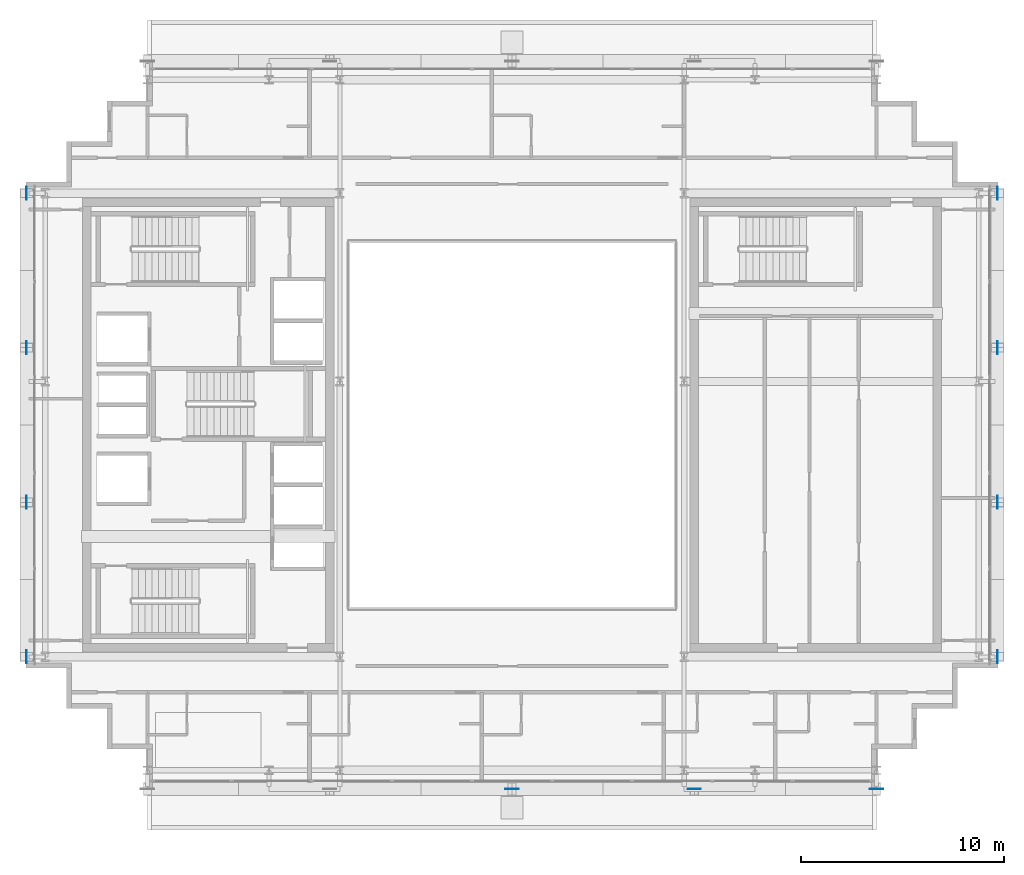
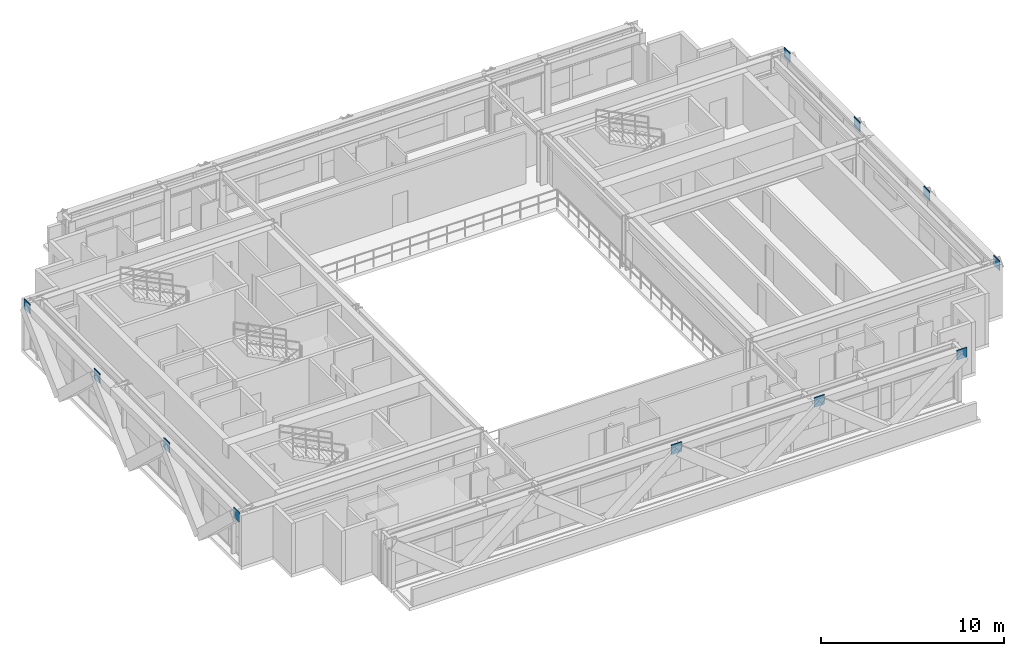
# One storey, part 18 of 27: 11 plates.
"""IFC4 building model written with IfcOpenShell, lengths in metres."""

from ifc_helpers import new_model, si_unit, direction, frame, origin, origin_2d, place, context, subcontext, project, spatial, rectangle, extrude, source, transform, mapped, material, layer, layer_set, type_object, element, save


model = new_model("IFC4")

# Units and contexts
model_context = context("Model", 3, precision=1e-05, world=origin(), true_north=direction((0.0, 1.0)))
body_context = subcontext(model_context, "Body", "Model", "MODEL_VIEW")
ifc_project = project(units=[si_unit("LENGTHUNIT", "METRE"), si_unit("AREAUNIT", "SQUARE_METRE"), si_unit("VOLUMEUNIT", "CUBIC_METRE"), si_unit("PLANEANGLEUNIT", "RADIAN"), si_unit("MASSUNIT", "GRAM", prefix="KILO")], contexts=[model_context])

# Site, building, storey
site_placement = place(None, origin())
site = spatial("IfcSite", under=ifc_project, at=site_placement, CompositionType="ELEMENT")
building_placement = place(site_placement, origin())
building = spatial("IfcBuilding", under=site, at=building_placement, Name="Ocotamira Hotel", CompositionType="ELEMENT")
storey_placement = place(building_placement, frame((0.0, 0.0, 232.800048828125)))
storey = spatial("IfcBuildingStorey", under=building, at=storey_placement, Name="L58", CompositionType="ELEMENT", Elevation=232.800048828125)

# Plates
ifc_material = material(Name="Pale-metal coated steel ASTM A572 Grade 50", Category="steel")
ifc_layer = layer(ifc_material, 0.0400390625)
ifc_layer_set = layer_set([ifc_layer], Name="Pale-metal coated steel ASTM A572 Grade 50")
plate_type = type_object("IfcPlateType", Name="PLT-GUSSET-40", PredefinedType="SHEET", material=ifc_layer_set)
shared_shape_1 = source(origin(), body_context, "Body", "SweptSolid", [
    extrude(rectangle(XDim=0.64990234375, YDim=0.0400390625, at=origin_2d()), origin(), (0.0, 0.0, 1.0), 0.64990234375),
])
for number, where, z_axis, x_axis, name in (
    (1, (32.0, 8.030029296875, 2.804931640625), (0.0, 0.0, 1.0), (1.0, 0.0, 0.0), "L58 Exoskeleton Diagrid S1.2 End Gusset B"),
    (2, (41.0, 8.030029296875, 2.804931640625), (0.0, 0.0, 1.0), (1.0, 0.0, 0.0), "L58 Exoskeleton Diagrid S2.2 End Gusset B"),
    (3, (50.0, 8.030029296875, 2.804931640625), (0.0, 0.0, 1.0), (1.0, 0.0, 0.0), "L58 Exoskeleton Diagrid S3.2 End Gusset B"),
):
    element("IfcPlate", number, at=place(storey_placement, frame(where, z_axis=z_axis, x_axis=x_axis)), inside=storey, type_object=plate_type, Name=name, PredefinedType="SHEET", context=body_context, shape_type="MappedRepresentation", body=[
        mapped(shared_shape_1, transform((0.0, 0.0, 0.0), scale=1.0)),
    ])
shared_shape_2 = source(origin(), body_context, "Body", "SweptSolid", [
    extrude(rectangle(XDim=0.0400390625, YDim=0.64990234375, at=origin_2d()), origin(), (0.0, 0.0, 1.0), 0.64990234375),
])
for number, where, z_axis, x_axis, name in (
    (4, (8.030029296875, 14.550048828125, 2.804931640625), (0.0, 0.0, 1.0), (1.0, 0.0, 0.0), "L58 Exoskeleton Diagrid W0.1 End Gusset B"),
    (5, (8.030029296875, 22.183349609375, 2.804931640625), (0.0, 0.0, 1.0), (1.0, 0.0, 0.0), "L58 Exoskeleton Diagrid W0.2 End Gusset B"),
    (6, (8.030029296875, 29.816650390625, 2.804931640625), (0.0, 0.0, 1.0), (1.0, 0.0, 0.0), "L58 Exoskeleton Diagrid W1.2 End Gusset B"),
    (7, (8.030029296875, 37.449951171875, 2.804931640625), (0.0, 0.0, 1.0), (1.0, 0.0, 0.0), "L58 Exoskeleton Diagrid W2.2 End Gusset B"),
    (8, (55.969970703125, 14.550048828125, 2.804931640625), (0.0, 0.0, 1.0), (1.0, 0.0, 0.0), "L58 Exoskeleton Diagrid E0.1 End Gusset B"),
    (9, (55.969970703125, 22.183349609375, 2.804931640625), (0.0, 0.0, 1.0), (1.0, 0.0, 0.0), "L58 Exoskeleton Diagrid E0.2 End Gusset B"),
    (10, (55.969970703125, 29.816650390625, 2.804931640625), (0.0, 0.0, 1.0), (1.0, 0.0, 0.0), "L58 Exoskeleton Diagrid E1.2 End Gusset B"),
    (11, (55.969970703125, 37.449951171875, 2.804931640625), (0.0, 0.0, 1.0), (1.0, 0.0, 0.0), "L58 Exoskeleton Diagrid E2.2 End Gusset B"),
):
    element("IfcPlate", number, at=place(storey_placement, frame(where, z_axis=z_axis, x_axis=x_axis)), inside=storey, type_object=plate_type, Name=name, PredefinedType="SHEET", context=body_context, shape_type="MappedRepresentation", body=[
        mapped(shared_shape_2, transform((0.0, 0.0, 0.0), scale=1.0)),
    ])

save(model, "model.ifc")
